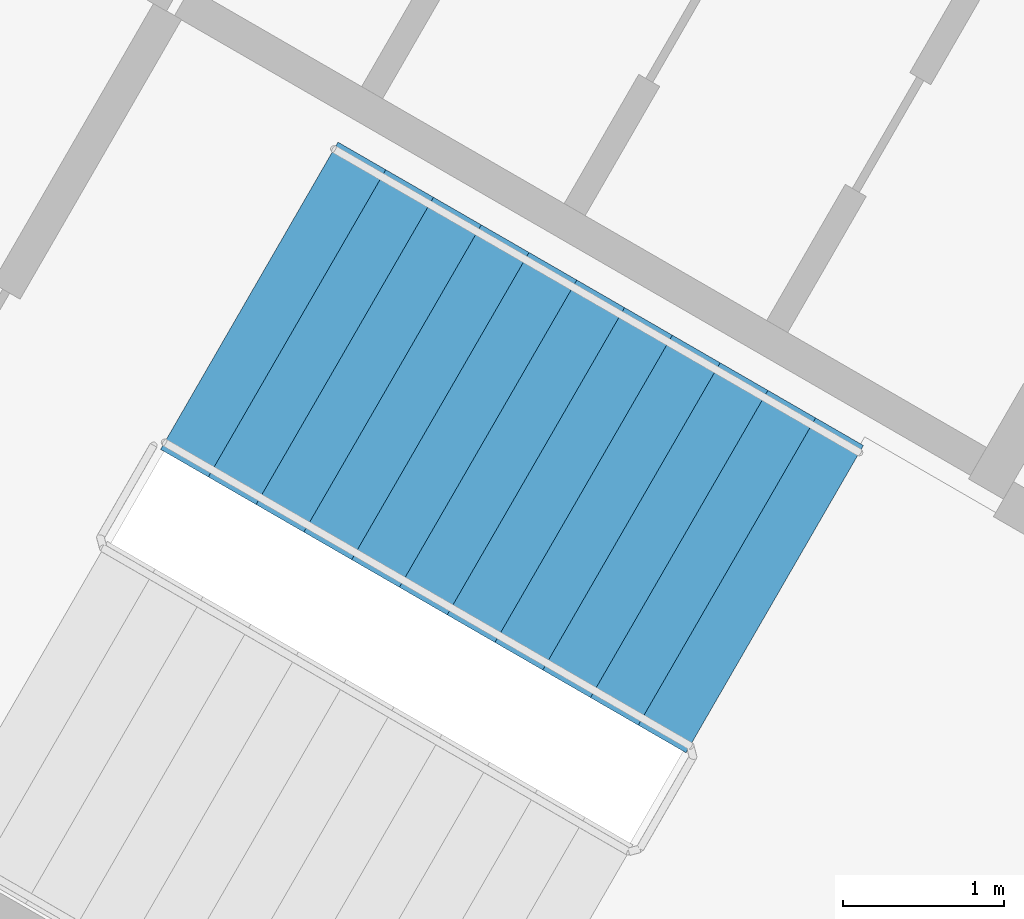
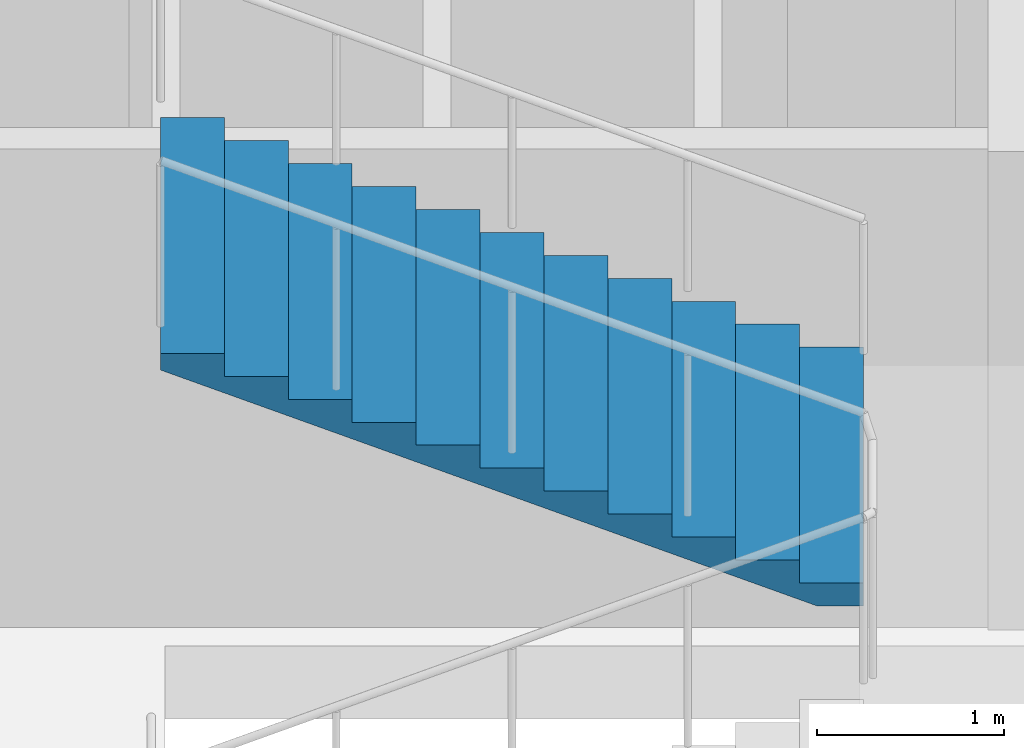
# One storey, part 12 of 13: 1 stair flight, 1 element without a shape of its own.
"""IFC4 building model written with IfcOpenShell, lengths in metres."""

from ifc_helpers import new_model, si_unit, direction, frame, origin, place, context, subcontext, project, spatial, polyline, outline, extrude, material, type_object, element, aggregate, save


model = new_model("IFC4")

# Units and contexts
model_context = context("Model", 3, precision=1e-05, world=origin(), true_north=direction((0.0, 1.0)))
body_context = subcontext(model_context, "Body", "Model", "MODEL_VIEW")
ifc_project = project(units=[si_unit("LENGTHUNIT", "METRE"), si_unit("AREAUNIT", "SQUARE_METRE"), si_unit("VOLUMEUNIT", "CUBIC_METRE"), si_unit("PLANEANGLEUNIT", "RADIAN"), si_unit("MASSUNIT", "GRAM", prefix="KILO")], contexts=[model_context])

# Site, building, storey
site_placement = place(None, origin())
site = spatial("IfcSite", under=ifc_project, at=site_placement, CompositionType="ELEMENT")
building_placement = place(site_placement, origin())
building = spatial("IfcBuilding", under=site, at=building_placement, Name="Tamra Quay Hotel Tower", CompositionType="ELEMENT")
storey_placement = place(building_placement, frame((0.0, 0.0, 38.60009765625)))
storey = spatial("IfcBuildingStorey", under=building, at=storey_placement, Name="L07", CompositionType="ELEMENT", Elevation=38.60009765625)

# Stair, stair flight
ifc_material_1 = material(Name="Exit stair 2200 24 risers 150.0 going 342")
stair_type = type_object("IfcStairType", Name="Exit stair 2200 24 risers 150.0 going 342", PredefinedType="HALF_TURN_STAIR", material=ifc_material_1)
stair_placement = place(storey_placement, origin())
stair = element("IfcStair", 1, at=stair_placement, inside=storey, type_object=stair_type, Name="L07 Exit stair ST1", PredefinedType="HALF_TURN_STAIR")
ifc_material_2 = material(Name="Exit stair flight 2200 12 risers 150.0")
stair_flight_type = type_object("IfcStairFlightType", Name="Exit stair flight 2200 12 risers 150.0", PredefinedType="STRAIGHT", material=ifc_material_2)
stair_flight_placement = place(storey_placement, frame((9.44677734375, 11.798583984375, 1.7998046875), z_axis=(0.0, 0.0, 1.0), x_axis=(-0.866025403784, 0.5, 0.0)))
stair_flight = element("IfcStairFlight", 2, at=stair_flight_placement, type_object=stair_flight_type, Name="ST1 flight 2", NumberOfRisers=12, NumberOfTreads=11, PredefinedType="STRAIGHT", RiserHeight=0.15, TreadLength=0.342, context=body_context, shape_type="SweptSolid", body=[
    extrude(outline(polyline([(0.0, 0.0), (0.0, 0.14990234375), (0.342041015625, 0.14990234375), (0.342041015625, 0.300048828125), (0.68408203125, 0.300048828125), (0.68408203125, 0.449951171875), (1.02587890625, 0.449951171875), (1.02587890625, 0.60009765625), (1.367919921875, 0.60009765625), (1.367919921875, 0.75), (1.7099609375, 0.75), (1.7099609375, 0.89990234375), (2.052001953125, 0.89990234375), (2.052001953125, 1.050048828125), (2.39404296875, 1.050048828125), (2.39404296875, 1.199951171875), (2.736083984375, 1.199951171875), (2.736083984375, 1.35009765625), (3.077880859375, 1.35009765625), (3.077880859375, 1.5), (3.419921875, 1.5), (3.419921875, 1.64990234375), (3.761962890625, 1.64990234375), (3.761962890625, 1.800048828125), (3.761962890625, 1.540771484375), (0.249267578125, 0.0), (0.0, 0.0)])), frame((0.0, 1.10009765625, 0.0), z_axis=(0.0, -1.0, 0.0), x_axis=(1.0, 0.0, 0.0)), (0.0, 0.0, 1.0), 2.199951171875),
])
aggregate(stair, [stair_flight])

save(model, "model.ifc")
